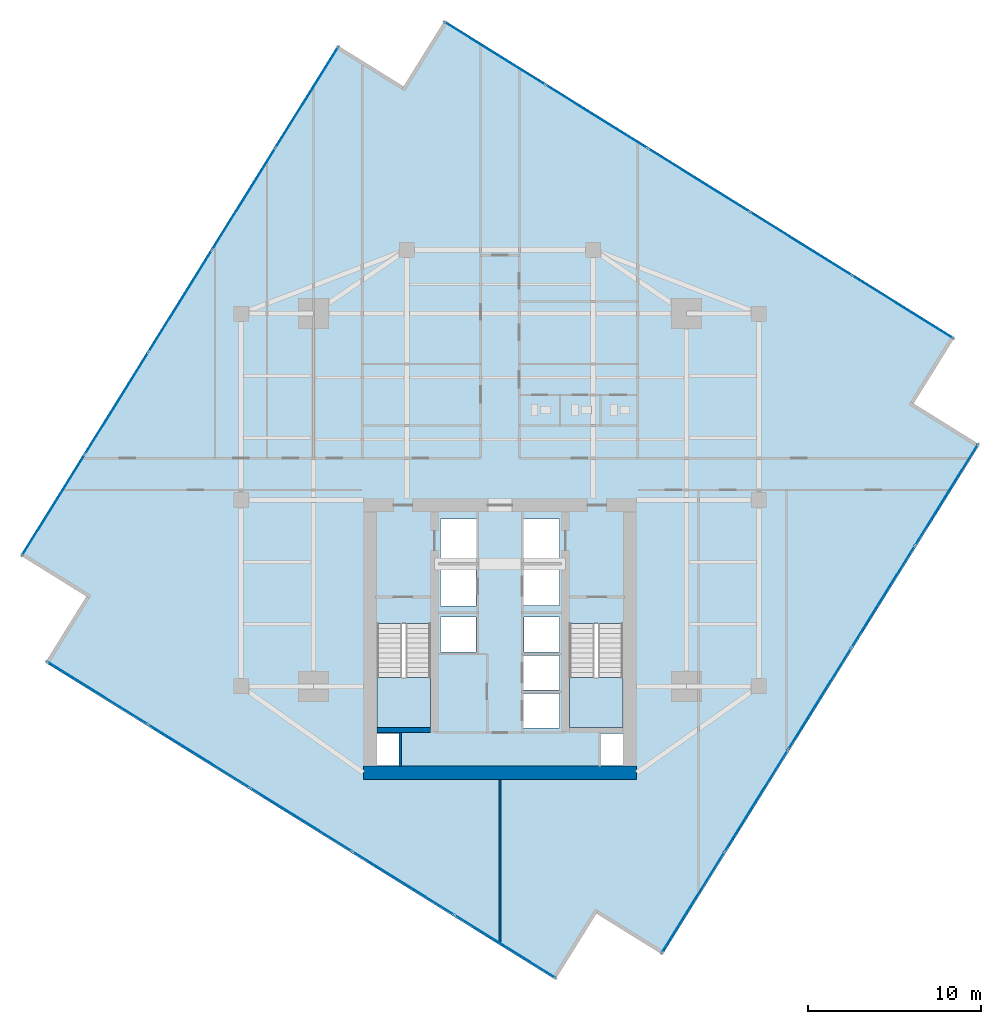
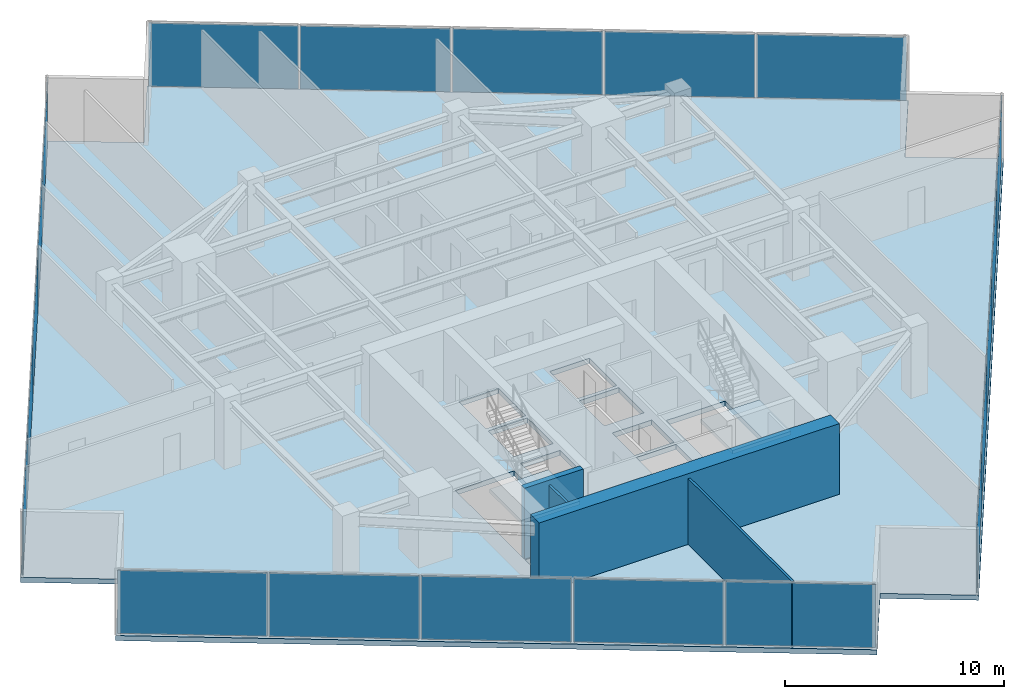
# One storey, part 20 of 25: 20 plates, 4 walls, 3 slabs, 6 elements without a shape of their own.
"""IFC4 building model written with IfcOpenShell, lengths in metres."""

from ifc_helpers import new_model, si_unit, direction, frame, frame_2d, origin, origin_2d, place, context, subcontext, project, spatial, polyline, rectangle, outline, extrude, source, transform, mapped, material, layer, layer_set, type_object, type_shapes, element, aggregate, save


model = new_model("IFC4")

# Units and contexts
model_context = context("Model", 3, precision=1e-05, world=origin(), true_north=direction((0.0, 1.0)))
body_context = subcontext(model_context, "Body", "Model", "MODEL_VIEW")
ifc_project = project(units=[si_unit("LENGTHUNIT", "METRE"), si_unit("AREAUNIT", "SQUARE_METRE"), si_unit("VOLUMEUNIT", "CUBIC_METRE"), si_unit("PLANEANGLEUNIT", "RADIAN"), si_unit("MASSUNIT", "GRAM", prefix="KILO")], contexts=[model_context])

# Site, building, storey
site_placement = place(None, origin())
site = spatial("IfcSite", under=ifc_project, at=site_placement, CompositionType="ELEMENT")
building_placement = place(site_placement, origin())
building = spatial("IfcBuilding", under=site, at=building_placement, Name="Krantzveldt Concourse Tower", CompositionType="ELEMENT")
storey_placement = place(building_placement, frame((0.0, 0.0, 181.75)))
storey = spatial("IfcBuildingStorey", under=building, at=storey_placement, Name="L44", CompositionType="ELEMENT", Elevation=181.75)

# Stair, slab
ifc_material_1 = material(Name="Precast concrete C40/50", Category="concrete")
stair_type = type_object("IfcStairType", Name="STR-CORE-DOGLEG", PredefinedType="HALF_TURN_STAIR", material=ifc_material_1)
stair_1_placement = place(storey_placement, origin())
stair_1 = element("IfcStair", 1, at=stair_1_placement, inside=storey, type_object=stair_type, Name="L44 Protected Escape Stair ST-1", PredefinedType="HALF_TURN_STAIR")
ifc_layer_1 = layer(ifc_material_1, 0.199951171875, Name="Precast concrete C40/50", Category="concrete")
ifc_layer_set_1 = layer_set([ifc_layer_1], Name="Precast concrete C40/50 (SL-LANDING-200)")
slab_type_1 = type_object("IfcSlabType", Name="SL-LANDING-200", PredefinedType="LANDING", material=ifc_layer_set_1)
slab_1_placement = place(storey_placement, frame((0.0, 0.0, 1.77490234375)))
slab_1 = element("IfcSlab", 2, at=slab_1_placement, type_object=slab_type_1, Name="ST-1 landing 1", PredefinedType="LANDING", context=body_context, shape_type="SweptSolid", body=[
    extrude(outline(polyline([(28.8798828125, 16.4150390625), (28.8798828125, 13.52001953125), (31.97998046875, 13.52001953125), (31.97998046875, 16.4150390625), (28.8798828125, 16.4150390625)])), origin(), (0.0, 0.0, 1.0), 0.2001953125),
])
aggregate(stair_1, [slab_1])

stair_2_placement = place(storey_placement, origin())
stair_2 = element("IfcStair", 3, at=stair_2_placement, inside=storey, type_object=stair_type, Name="L44 Protected Escape Stair ST-2", PredefinedType="HALF_TURN_STAIR")
slab_2_placement = place(storey_placement, frame((0.0, 0.0, 1.77490234375)))
slab_2 = element("IfcSlab", 4, at=slab_2_placement, type_object=slab_type_1, Name="ST-2 landing 1", PredefinedType="LANDING", context=body_context, shape_type="SweptSolid", body=[
    extrude(outline(polyline([(40.02001953125, 16.4150390625), (40.02001953125, 13.52001953125), (43.1201171875, 13.52001953125), (43.1201171875, 16.4150390625), (40.02001953125, 16.4150390625)])), origin(), (0.0, 0.0, 1.0), 0.2001953125),
])
aggregate(stair_2, [slab_2])

# Slab
ifc_material_2 = material(Name="Concrete C40/50", Category="concrete")
ifc_layer_2 = layer(ifc_material_2, 0.280029296875, Name="Concrete C40/50", Category="concrete")
ifc_layer_set_2 = layer_set([ifc_layer_2], Name="Concrete C40/50 (SL-SL-TWR280)")
slab_type_2 = type_object("IfcSlabType", Name="SL-SL-TWR280", PredefinedType="FLOOR", material=ifc_layer_set_2)
slab_3_placement = place(storey_placement, frame((0.0, 0.0, -0.280029296875)))
element("IfcSlab", 5, at=slab_3_placement, inside=storey, type_object=slab_type_2, Name="SL-L44-MAIN", PredefinedType="FLOOR", context=body_context, shape_type="SweptSolid", body=[
    extrude(outline(polyline([(30.412353515625, 50.66455078125), (26.5908203125, 53.040771484375), (8.214111328125, 23.488525390625), (12.035400390625, 21.1123046875), (9.6591796875, 17.290771484375), (39.21142578125, -1.0859375), (41.587646484375, 2.735595703125), (45.4091796875, 0.359130859375), (63.785888671875, 29.911376953125), (59.964599609375, 32.287841796875), (62.3408203125, 36.109130859375), (32.78857421875, 54.48583984375), (30.412353515625, 50.66455078125)]), holes=[polyline([(28.8798828125, 19.547607421875), (28.8798828125, 13.52001953125), (31.97998046875, 13.52001953125), (31.97998046875, 19.547607421875), (28.8798828125, 19.547607421875)]), polyline([(40.02001953125, 19.547607421875), (40.02001953125, 13.52001953125), (43.1201171875, 13.52001953125), (43.1201171875, 19.547607421875), (40.02001953125, 19.547607421875)]), polyline([(32.550048828125, 23.10009765625), (34.64990234375, 23.10009765625), (34.64990234375, 25.60009765625), (32.550048828125, 25.60009765625), (32.550048828125, 23.10009765625)]), polyline([(37.35009765625, 23.10009765625), (39.449951171875, 23.10009765625), (39.449951171875, 25.60009765625), (37.35009765625, 25.60009765625), (37.35009765625, 23.10009765625)]), polyline([(37.35009765625, 20.60009765625), (39.449951171875, 20.60009765625), (39.449951171875, 22.89990234375), (37.35009765625, 22.89990234375), (37.35009765625, 20.60009765625)]), polyline([(37.35009765625, 13.47998046875), (39.449951171875, 13.47998046875), (39.449951171875, 15.47998046875), (37.35009765625, 15.47998046875), (37.35009765625, 13.47998046875)]), polyline([(37.35009765625, 15.679931640625), (39.449951171875, 15.679931640625), (39.449951171875, 17.679931640625), (37.35009765625, 17.679931640625), (37.35009765625, 15.679931640625)]), polyline([(32.550048828125, 20.550048828125), (34.6201171875, 20.550048828125), (34.6201171875, 22.89990234375), (32.550048828125, 22.89990234375), (32.550048828125, 20.550048828125)]), polyline([(32.550048828125, 17.8798828125), (34.6201171875, 17.8798828125), (34.6201171875, 19.919921875), (32.550048828125, 19.919921875), (32.550048828125, 17.8798828125)]), polyline([(37.3798828125, 17.8798828125), (39.449951171875, 17.8798828125), (39.449951171875, 19.919921875), (37.3798828125, 19.919921875), (37.3798828125, 17.8798828125)]), polyline([(28.8798828125, 11.320068359375), (30.139892578125, 11.320068359375), (30.139892578125, 13.159912109375), (28.8798828125, 13.159912109375), (28.8798828125, 11.320068359375)]), polyline([(41.860107421875, 11.320068359375), (43.1201171875, 11.320068359375), (43.1201171875, 13.159912109375), (41.860107421875, 13.159912109375), (41.860107421875, 11.320068359375)])]), origin(), (0.0, 0.0, 1.0), 0.280029296875),
])

# Curtain wall, plates
ifc_material_3 = material(Name="Anodised aluminium 6063-T6", Category="aluminium")
curtain_wall_type = type_object("IfcCurtainWallType", Name="CW3", PredefinedType="USERDEFINED", material=ifc_material_3)
curtain_wall_1_placement = place(storey_placement, origin())
curtain_wall_1 = element("IfcCurtainWall", 6, at=curtain_wall_1_placement, inside=storey, type_object=curtain_wall_type, Name="CW-L44-F01", ObjectType="UNITISED CURTAIN WALL", PredefinedType="USERDEFINED")
ifc_material_4 = material(Name="Bronze-tinted laminated low-E IGU glass", Category="glass")
ifc_layer_3 = layer(ifc_material_4, 0.031982421875, Name="Bronze-tinted laminated low-E IGU glass", Category="glass")
ifc_layer_set_3 = layer_set([ifc_layer_3], Name="Bronze-tinted laminated low-E IGU glass (CW-GLZ-32)")
plate_type = type_object("IfcPlateType", Name="CW-GLZ-32", PredefinedType="CURTAIN_PANEL", material=ifc_layer_set_3)
shared_shape_1 = source(origin(), body_context, "Body", "SweptSolid", [
    extrude(rectangle(XDim=6.85498046875, YDim=0.031982421875, at=origin_2d()), origin(), (0.0, 0.0, 1.0), 3.530029296875),
])
plate_1_placement = place(storey_placement, frame((24.8203125, 50.023193359375, 0.06982421875), z_axis=(0.0, 0.0, 1.0), x_axis=(-0.528067901977, -0.84920214961, 0.0)))
plate_1 = element("IfcPlate", 7, at=plate_1_placement, type_object=plate_type, Name="CW-Z34 panel 1.1", PredefinedType="CURTAIN_PANEL", context=body_context, shape_type="MappedRepresentation", body=[
    mapped(shared_shape_1, transform((0.0, 0.0, 0.0), x_axis=(1.0, 0.0, 0.0), y_axis=(0.0, 1.0, 0.0), z_axis=(0.0, 0.0, 1.0), scale=1.0)),
])
plate_2_placement = place(storey_placement, frame((10.137451171875, 26.4111328125, 0.06982421875), z_axis=(0.0, 0.0, 1.0), x_axis=(-0.528067901977, -0.84920214961, 0.0)))
plate_2 = element("IfcPlate", 8, at=plate_2_placement, type_object=plate_type, Name="CW-Z34 panel 5.1", PredefinedType="CURTAIN_PANEL", context=body_context, shape_type="MappedRepresentation", body=[
    mapped(shared_shape_1, transform((0.0, 0.0, 0.0), x_axis=(1.0, 0.0, 0.0), y_axis=(0.0, 1.0, 0.0), z_axis=(0.0, 0.0, 1.0), scale=1.0)),
])

curtain_wall_2_placement = place(storey_placement, origin())
curtain_wall_2 = element("IfcCurtainWall", 9, at=curtain_wall_2_placement, inside=storey, type_object=curtain_wall_type, Name="CW-L44-F04", ObjectType="UNITISED CURTAIN WALL", PredefinedType="USERDEFINED")
plate_3_placement = place(storey_placement, frame((12.6767578125, 15.520263671875, 0.06982421875), z_axis=(0.0, 0.0, 1.0), x_axis=(0.84920214961, -0.528067901977, 0.0)))
plate_3 = element("IfcPlate", 10, at=plate_3_placement, type_object=plate_type, Name="CW-Z34 panel 1.1", PredefinedType="CURTAIN_PANEL", context=body_context, shape_type="MappedRepresentation", body=[
    mapped(shared_shape_1, transform((0.0, 0.0, 0.0), x_axis=(1.0, 0.0, 0.0), y_axis=(0.0, 1.0, 0.0), z_axis=(0.0, 0.0, 1.0), scale=1.0)),
])
plate_4_placement = place(storey_placement, frame((36.288818359375, 0.83740234375, 0.06982421875), z_axis=(0.0, 0.0, 1.0), x_axis=(0.84920214961, -0.528067901977, 0.0)))
plate_4 = element("IfcPlate", 11, at=plate_4_placement, type_object=plate_type, Name="CW-Z34 panel 5.1", PredefinedType="CURTAIN_PANEL", context=body_context, shape_type="MappedRepresentation", body=[
    mapped(shared_shape_1, transform((0.0, 0.0, 0.0), x_axis=(1.0, 0.0, 0.0), y_axis=(0.0, 1.0, 0.0), z_axis=(0.0, 0.0, 1.0), scale=1.0)),
])

curtain_wall_3_placement = place(storey_placement, origin())
curtain_wall_3 = element("IfcCurtainWall", 12, at=curtain_wall_3_placement, inside=storey, type_object=curtain_wall_type, Name="CW-L44-F07", ObjectType="UNITISED CURTAIN WALL", PredefinedType="USERDEFINED")
plate_5_placement = place(storey_placement, frame((47.1796875, 3.376708984375, 0.06982421875), z_axis=(0.0, 0.0, 1.0), x_axis=(0.528067901977, 0.84920214961, 0.0)))
plate_5 = element("IfcPlate", 13, at=plate_5_placement, type_object=plate_type, Name="CW-Z34 panel 1.1", PredefinedType="CURTAIN_PANEL", context=body_context, shape_type="MappedRepresentation", body=[
    mapped(shared_shape_1, transform((0.0, 0.0, 0.0), x_axis=(1.0, 0.0, 0.0), y_axis=(0.0, 1.0, 0.0), z_axis=(0.0, 0.0, 1.0), scale=1.0)),
])
plate_6_placement = place(storey_placement, frame((61.862548828125, 26.98876953125, 0.06982421875), z_axis=(0.0, 0.0, 1.0), x_axis=(0.528067901977, 0.84920214961, 0.0)))
plate_6 = element("IfcPlate", 14, at=plate_6_placement, type_object=plate_type, Name="CW-Z34 panel 5.1", PredefinedType="CURTAIN_PANEL", context=body_context, shape_type="MappedRepresentation", body=[
    mapped(shared_shape_1, transform((0.0, 0.0, 0.0), x_axis=(1.0, 0.0, 0.0), y_axis=(0.0, 1.0, 0.0), z_axis=(0.0, 0.0, 1.0), scale=1.0)),
])

curtain_wall_4_placement = place(storey_placement, origin())
curtain_wall_4 = element("IfcCurtainWall", 15, at=curtain_wall_4_placement, inside=storey, type_object=curtain_wall_type, Name="CW-L44-F10", ObjectType="UNITISED CURTAIN WALL", PredefinedType="USERDEFINED")
plate_7_placement = place(storey_placement, frame((59.3232421875, 37.879638671875, 0.06982421875), z_axis=(0.0, 0.0, 1.0), x_axis=(-0.84920214961, 0.528067901977, 0.0)))
plate_7 = element("IfcPlate", 16, at=plate_7_placement, type_object=plate_type, Name="CW-Z34 panel 1.1", PredefinedType="CURTAIN_PANEL", context=body_context, shape_type="MappedRepresentation", body=[
    mapped(shared_shape_1, transform((0.0, 0.0, 0.0), x_axis=(1.0, 0.0, 0.0), y_axis=(0.0, 1.0, 0.0), z_axis=(0.0, 0.0, 1.0), scale=1.0)),
])
plate_8_placement = place(storey_placement, frame((35.711181640625, 52.5625, 0.06982421875), z_axis=(0.0, 0.0, 1.0), x_axis=(-0.84920214961, 0.528067901977, 0.0)))
plate_8 = element("IfcPlate", 17, at=plate_8_placement, type_object=plate_type, Name="CW-Z34 panel 5.1", PredefinedType="CURTAIN_PANEL", context=body_context, shape_type="MappedRepresentation", body=[
    mapped(shared_shape_1, transform((0.0, 0.0, 0.0), x_axis=(1.0, 0.0, 0.0), y_axis=(0.0, 1.0, 0.0), z_axis=(0.0, 0.0, 1.0), scale=1.0)),
])

# Plate
shared_shape_2 = source(origin(), body_context, "Body", "SweptSolid", [
    extrude(rectangle(XDim=6.889892578125, YDim=0.031982421875, at=origin_2d()), origin(), (0.0, 0.0, 1.0), 3.530029296875),
])
type_shapes(plate_type, [shared_shape_1, shared_shape_2])
plate_9_placement = place(storey_placement, frame((21.154296875, 44.127685546875, 0.06982421875), z_axis=(0.0, 0.0, 1.0), x_axis=(-0.528067901977, -0.84920214961, 0.0)))
plate_9 = element("IfcPlate", 18, at=plate_9_placement, type_object=plate_type, Name="CW-Z34 panel 2.1", PredefinedType="CURTAIN_PANEL", context=body_context, shape_type="MappedRepresentation", body=[
    mapped(shared_shape_2, transform((0.0, 0.0, 0.0), x_axis=(1.0, 0.0, 0.0), y_axis=(0.0, 1.0, 0.0), z_axis=(0.0, 0.0, 1.0), scale=1.0)),
])

plate_10_placement = place(storey_placement, frame((17.47900390625, 38.217041015625, 0.06982421875), z_axis=(0.0, 0.0, 1.0), x_axis=(-0.528067901977, -0.84920214961, 0.0)))
plate_10 = element("IfcPlate", 19, at=plate_10_placement, type_object=plate_type, Name="CW-Z34 panel 3.1", PredefinedType="CURTAIN_PANEL", context=body_context, shape_type="MappedRepresentation", body=[
    mapped(shared_shape_2, transform((0.0, 0.0, 0.0), x_axis=(1.0, 0.0, 0.0), y_axis=(0.0, 1.0, 0.0), z_axis=(0.0, 0.0, 1.0), scale=1.0)),
])

plate_11_placement = place(storey_placement, frame((13.803466796875, 32.306640625, 0.06982421875), z_axis=(0.0, 0.0, 1.0), x_axis=(-0.528067901977, -0.84920214961, 0.0)))
plate_11 = element("IfcPlate", 20, at=plate_11_placement, type_object=plate_type, Name="CW-Z34 panel 4.1", PredefinedType="CURTAIN_PANEL", context=body_context, shape_type="MappedRepresentation", body=[
    mapped(shared_shape_2, transform((0.0, 0.0, 0.0), x_axis=(1.0, 0.0, 0.0), y_axis=(0.0, 1.0, 0.0), z_axis=(0.0, 0.0, 1.0), scale=1.0)),
])

aggregate(curtain_wall_1, [plate_1, plate_9, plate_10, plate_11, plate_2])

plate_12_placement = place(storey_placement, frame((18.572509765625, 11.854248046875, 0.06982421875), z_axis=(0.0, 0.0, 1.0), x_axis=(0.84920214961, -0.528067901977, 0.0)))
plate_12 = element("IfcPlate", 21, at=plate_12_placement, type_object=plate_type, Name="CW-Z34 panel 2.1", PredefinedType="CURTAIN_PANEL", context=body_context, shape_type="MappedRepresentation", body=[
    mapped(shared_shape_2, transform((0.0, 0.0, 0.0), x_axis=(1.0, 0.0, 0.0), y_axis=(0.0, 1.0, 0.0), z_axis=(0.0, 0.0, 1.0), scale=1.0)),
])

plate_13_placement = place(storey_placement, frame((24.48291015625, 8.178955078125, 0.06982421875), z_axis=(0.0, 0.0, 1.0), x_axis=(0.84920214961, -0.528067901977, 0.0)))
plate_13 = element("IfcPlate", 22, at=plate_13_placement, type_object=plate_type, Name="CW-Z34 panel 3.1", PredefinedType="CURTAIN_PANEL", context=body_context, shape_type="MappedRepresentation", body=[
    mapped(shared_shape_2, transform((0.0, 0.0, 0.0), x_axis=(1.0, 0.0, 0.0), y_axis=(0.0, 1.0, 0.0), z_axis=(0.0, 0.0, 1.0), scale=1.0)),
])

plate_14_placement = place(storey_placement, frame((30.393310546875, 4.503662109375, 0.06982421875), z_axis=(0.0, 0.0, 1.0), x_axis=(0.84920214961, -0.528067901977, 0.0)))
plate_14 = element("IfcPlate", 23, at=plate_14_placement, type_object=plate_type, Name="CW-Z34 panel 4.1", PredefinedType="CURTAIN_PANEL", context=body_context, shape_type="MappedRepresentation", body=[
    mapped(shared_shape_2, transform((0.0, 0.0, 0.0), x_axis=(1.0, 0.0, 0.0), y_axis=(0.0, 1.0, 0.0), z_axis=(0.0, 0.0, 1.0), scale=1.0)),
])

aggregate(curtain_wall_2, [plate_3, plate_12, plate_13, plate_14, plate_4])

plate_15_placement = place(storey_placement, frame((50.845703125, 9.2724609375, 0.06982421875), z_axis=(0.0, 0.0, 1.0), x_axis=(0.528067901977, 0.84920214961, 0.0)))
plate_15 = element("IfcPlate", 24, at=plate_15_placement, type_object=plate_type, Name="CW-Z34 panel 2.1", PredefinedType="CURTAIN_PANEL", context=body_context, shape_type="MappedRepresentation", body=[
    mapped(shared_shape_2, transform((0.0, 0.0, 0.0), x_axis=(1.0, 0.0, 0.0), y_axis=(0.0, 1.0, 0.0), z_axis=(0.0, 0.0, 1.0), scale=1.0)),
])

plate_16_placement = place(storey_placement, frame((54.52099609375, 15.182861328125, 0.06982421875), z_axis=(0.0, 0.0, 1.0), x_axis=(0.528067901977, 0.84920214961, 0.0)))
plate_16 = element("IfcPlate", 25, at=plate_16_placement, type_object=plate_type, Name="CW-Z34 panel 3.1", PredefinedType="CURTAIN_PANEL", context=body_context, shape_type="MappedRepresentation", body=[
    mapped(shared_shape_2, transform((0.0, 0.0, 0.0), x_axis=(1.0, 0.0, 0.0), y_axis=(0.0, 1.0, 0.0), z_axis=(0.0, 0.0, 1.0), scale=1.0)),
])

plate_17_placement = place(storey_placement, frame((58.196533203125, 21.09326171875, 0.06982421875), z_axis=(0.0, 0.0, 1.0), x_axis=(0.528067901977, 0.84920214961, 0.0)))
plate_17 = element("IfcPlate", 26, at=plate_17_placement, type_object=plate_type, Name="CW-Z34 panel 4.1", PredefinedType="CURTAIN_PANEL", context=body_context, shape_type="MappedRepresentation", body=[
    mapped(shared_shape_2, transform((0.0, 0.0, 0.0), x_axis=(1.0, 0.0, 0.0), y_axis=(0.0, 1.0, 0.0), z_axis=(0.0, 0.0, 1.0), scale=1.0)),
])

aggregate(curtain_wall_3, [plate_5, plate_15, plate_16, plate_17, plate_6])

plate_18_placement = place(storey_placement, frame((53.427490234375, 41.545654296875, 0.06982421875), z_axis=(0.0, 0.0, 1.0), x_axis=(-0.84920214961, 0.528067901977, 0.0)))
plate_18 = element("IfcPlate", 27, at=plate_18_placement, type_object=plate_type, Name="CW-Z34 panel 2.1", PredefinedType="CURTAIN_PANEL", context=body_context, shape_type="MappedRepresentation", body=[
    mapped(shared_shape_2, transform((0.0, 0.0, 0.0), x_axis=(1.0, 0.0, 0.0), y_axis=(0.0, 1.0, 0.0), z_axis=(0.0, 0.0, 1.0), scale=1.0)),
])

plate_19_placement = place(storey_placement, frame((47.51708984375, 45.22119140625, 0.06982421875), z_axis=(0.0, 0.0, 1.0), x_axis=(-0.84920214961, 0.528067901977, 0.0)))
plate_19 = element("IfcPlate", 28, at=plate_19_placement, type_object=plate_type, Name="CW-Z34 panel 3.1", PredefinedType="CURTAIN_PANEL", context=body_context, shape_type="MappedRepresentation", body=[
    mapped(shared_shape_2, transform((0.0, 0.0, 0.0), x_axis=(1.0, 0.0, 0.0), y_axis=(0.0, 1.0, 0.0), z_axis=(0.0, 0.0, 1.0), scale=1.0)),
])

plate_20_placement = place(storey_placement, frame((41.606689453125, 48.896484375, 0.06982421875), z_axis=(0.0, 0.0, 1.0), x_axis=(-0.84920214961, 0.528067901977, 0.0)))
plate_20 = element("IfcPlate", 29, at=plate_20_placement, type_object=plate_type, Name="CW-Z34 panel 4.1", PredefinedType="CURTAIN_PANEL", context=body_context, shape_type="MappedRepresentation", body=[
    mapped(shared_shape_2, transform((0.0, 0.0, 0.0), x_axis=(1.0, 0.0, 0.0), y_axis=(0.0, 1.0, 0.0), z_axis=(0.0, 0.0, 1.0), scale=1.0)),
])

aggregate(curtain_wall_4, [plate_7, plate_18, plate_19, plate_20, plate_8])

# Walls
ifc_material_5 = material(Name="Fire-rated gypsum plasterboard on steel stud", Category="steel")
ifc_layer_4 = layer(ifc_material_5, 0.1201171875, Name="Fire-rated gypsum plasterboard on steel stud", Category="steel")
ifc_layer_set_4 = layer_set([ifc_layer_4], Name="Fire-rated gypsum plasterboard on steel stud (WL-PART-120)")
wall_type_1 = type_object("IfcWallType", Name="WL-PART-120", PredefinedType="PARTITIONING", material=ifc_layer_set_4)
wall_1_placement = place(storey_placement, frame((36.0, 1.01708984375, 0.0), z_axis=(0.0, 0.0, 1.0), x_axis=(0.0, 1.0, 0.0)))
element("IfcWall", 30, at=wall_1_placement, inside=storey, type_object=wall_type_1, Name="WP-L44-SMID", PredefinedType="PARTITIONING", context=body_context, shape_type="SweptSolid", body=[
    extrude(rectangle(XDim=9.48291015625, YDim=0.1201171875, at=frame_2d((4.741455078125, 0.0))), origin(), (0.0, 0.0, 1.0), 3.669921875),
])
ifc_layer_5 = layer(ifc_material_5, 0.139892578125, Name="Fire-rated gypsum plasterboard on steel stud", Category="steel")
ifc_layer_set_5 = layer_set([ifc_layer_5], Name="Fire-rated gypsum plasterboard on steel stud (WL-PART-FR140)")
wall_type_2 = type_object("IfcWallType", Name="WL-PART-FR140", PredefinedType="PARTITIONING", material=ifc_layer_set_5)
wall_2_placement = place(storey_placement, frame((30.219970703125, 11.25, 0.0), z_axis=(0.0, 0.0, 1.0), x_axis=(0.0, 1.0, 0.0)))
element("IfcWall", 31, at=wall_2_placement, inside=storey, type_object=wall_type_2, Name="WP-L44-RSW", PredefinedType="PARTITIONING", context=body_context, shape_type="SweptSolid", body=[
    extrude(rectangle(XDim=1.969970703125, YDim=0.1201171875, at=frame_2d((0.98486328125, 0.0))), origin(), (0.0, 0.0, 1.0), 3.669921875),
])
ifc_material_6 = material(Name="Concrete C50/60", Category="concrete")
ifc_layer_6 = layer(ifc_material_6, 0.300048828125, Name="Concrete C50/60", Category="concrete")
ifc_layer_set_6 = layer_set([ifc_layer_6], Name="Concrete C50/60 (WL-SHEAR-300)")
wall_type_3 = type_object("IfcWallType", Name="WL-SHEAR-300", PredefinedType="SHEAR", material=ifc_layer_set_6)
wall_3_placement = place(storey_placement, frame((28.8798828125, 13.3701171875, 0.0), z_axis=(0.0, 0.0, 1.0), x_axis=(1.0, 0.0, 0.0)))
element("IfcWall", 32, at=wall_3_placement, inside=storey, type_object=wall_type_3, Name="CW-L44-ST1S", PredefinedType="SHEAR", context=body_context, shape_type="SweptSolid", body=[
    extrude(rectangle(XDim=3.10009765625, YDim=0.300048828125, at=frame_2d((1.550048828125, 0.0))), origin(), (0.0, 0.0, 1.0), 3.949951171875),
])
ifc_material_7 = material(Name="Concrete C60/75", Category="concrete")
ifc_layer_7 = layer(ifc_material_7, 0.800048828125, Name="Concrete C60/75", Category="concrete")
ifc_layer_set_7 = layer_set([ifc_layer_7], Name="Concrete C60/75 (WL-SHEAR-800)")
wall_type_4 = type_object("IfcWallType", Name="WL-SHEAR-800", PredefinedType="SHEAR", material=ifc_layer_set_7)
wall_4_placement = place(storey_placement, frame((28.080078125, 10.89990234375, 0.0), z_axis=(0.0, 0.0, 1.0), x_axis=(1.0, 0.0, 0.0)))
element("IfcWall", 33, at=wall_4_placement, inside=storey, type_object=wall_type_4, Name="CW-L44-S", PredefinedType="SHEAR", context=body_context, shape_type="SweptSolid", body=[
    extrude(rectangle(XDim=15.83984375, YDim=0.800048828125, at=frame_2d((7.919921875, 0.0))), origin(), (0.0, 0.0, 1.0), 3.949951171875),
])

save(model, "model.ifc")
